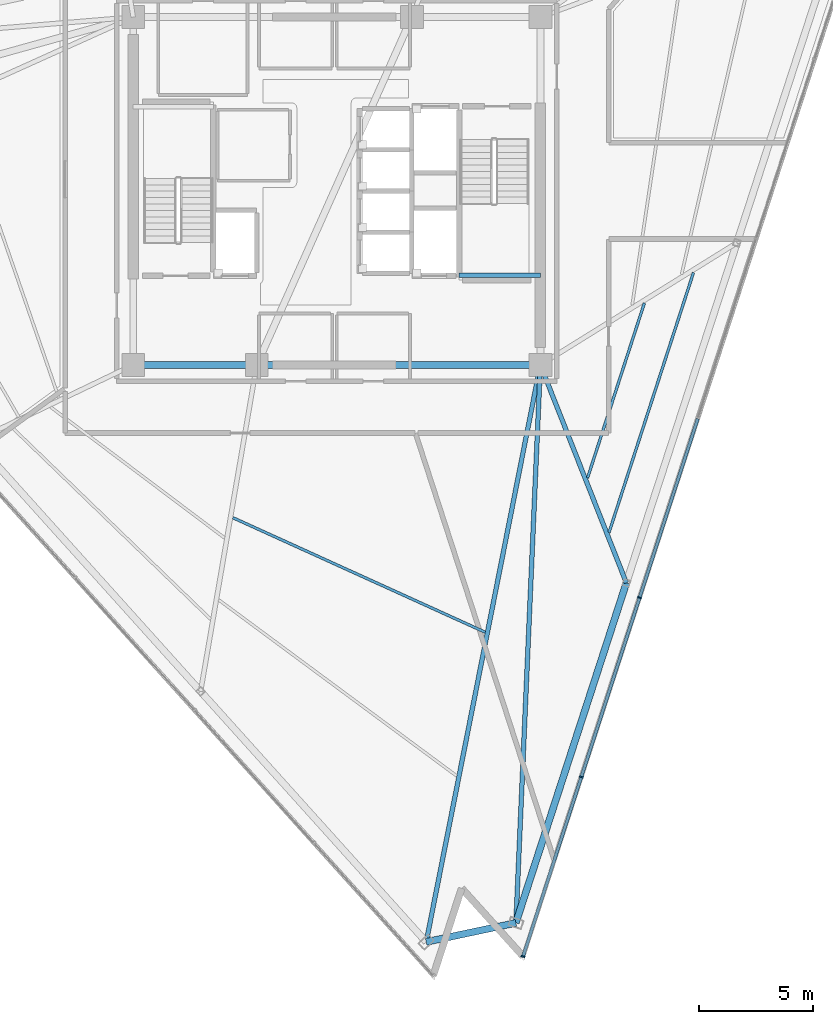
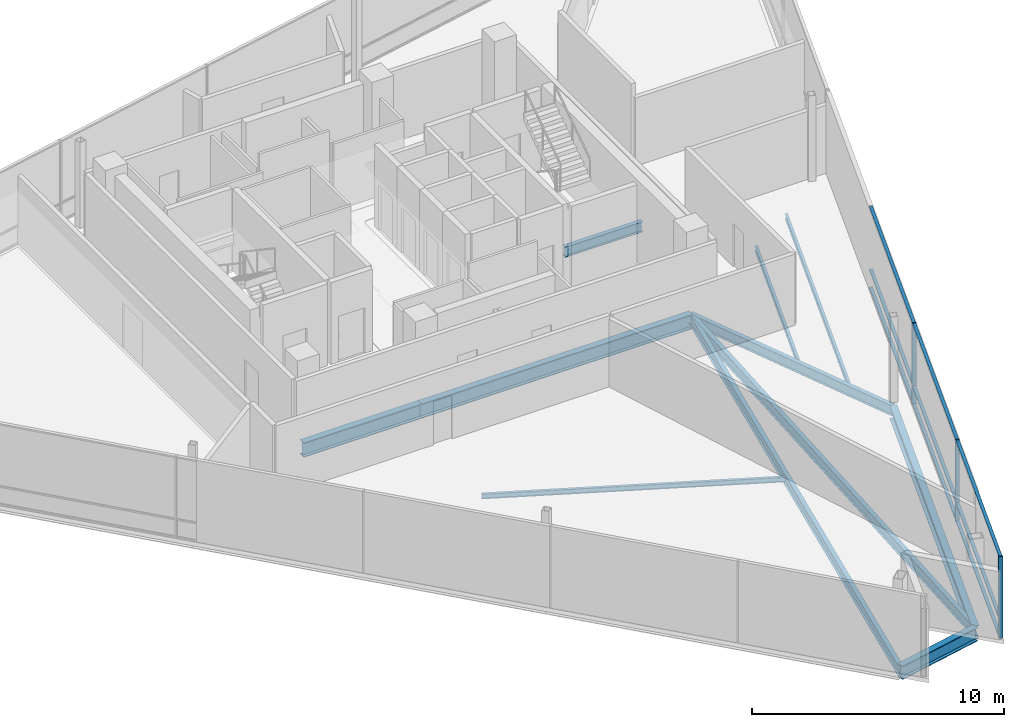
# One storey, part 5 of 16: 12 members, 11 beams, 1 element without a shape of its own.
"""IFC4 building model written with IfcOpenShell, lengths in metres."""

import ifcopenshell
import ifcopenshell.guid

model = None  # the IFC model being written
_history = None  # IfcOwnerHistory: only IFC2X3 demands one
_inside = {}  # id of a spatial element -> (the spatial element, [elements in it])
_under = {}  # id of a project, library or spatial element -> (it, [spatial elements below it])
_declared = {}  # id of a project -> (the project, [libraries it declares])
_typed = {}  # id of a type object -> (the type object, [elements of that type])
_made_of = {}  # id of a material, layer set ... -> (it, [elements and type objects made of it])


def new_model(schema):
    """Start an empty IFC model of exactly this schema.

    Asked for "IFC4X3", IfcOpenShell would pick the latest addendum, in which some entities
    have other attributes; the version numbers below select the first issue.
    IFC2X3 requires an IfcOwnerHistory on every rooted entity: one is made here for all.
    """
    global model, _history
    if schema == "IFC4X3":
        model = ifcopenshell.file(schema_version=(4, 3, 0, 0))
    else:
        model = ifcopenshell.file(schema=schema)
    _inside.clear()
    _under.clear()
    _declared.clear()
    _typed.clear()
    _made_of.clear()
    _history = None
    if model.schema == "IFC2X3":
        org = make("IfcOrganization", Name="unknown")
        user = make(
            "IfcPersonAndOrganization",
            ThePerson=make("IfcPerson", FamilyName="unknown"),
            TheOrganization=org,
        )
        app = make(
            "IfcApplication",
            ApplicationDeveloper=org,
            Version="unknown",
            ApplicationFullName="unknown",
            ApplicationIdentifier="unknown",
        )
        _history = make(
            "IfcOwnerHistory",
            OwningUser=user,
            OwningApplication=app,
            ChangeAction="ADDED",
            CreationDate=0,
        )
    return model


def make(cls, **values):
    """One entity of the class cls with the attributes given. An attribute that is None is left unset."""
    return model.create_entity(
        cls, **{name: value for name, value in values.items() if value is not None}
    )


def rooted(cls, **values):
    """An entity with a GlobalId (a new one), such as an element, a storey or a relation."""
    return make(cls, GlobalId=ifcopenshell.guid.new(), OwnerHistory=_history, **values)


def si_unit(unit_type, name, prefix=None):
    """IfcSIUnit, for example si_unit("LENGTHUNIT", "METRE", prefix="MILLI")."""
    return make("IfcSIUnit", UnitType=unit_type, Prefix=prefix, Name=name)


def assignment(units):
    """IfcUnitAssignment: the units of a project."""
    return None if units is None else make("IfcUnitAssignment", Units=units)


def point(xyz):
    """IfcCartesianPoint."""
    return None if xyz is None else make("IfcCartesianPoint", Coordinates=xyz)


def direction(xyz):
    """IfcDirection."""
    return None if xyz is None else make("IfcDirection", DirectionRatios=xyz)


def frame(location, z_axis=None, x_axis=None):
    """IfcAxis2Placement3D, a coordinate frame: its origin and axes. An axis left out is left unset."""
    return make(
        "IfcAxis2Placement3D",
        Location=point(location),
        Axis=direction(z_axis),
        RefDirection=direction(x_axis),
    )


def frame_2d(location, x_axis=None):
    """IfcAxis2Placement2D, a coordinate frame in the plane: its origin and x axis."""
    return make(
        "IfcAxis2Placement2D", Location=point(location), RefDirection=direction(x_axis)
    )


def origin():
    """The frame at (0, 0, 0) with its axes left unset."""
    return frame((0.0, 0.0, 0.0))


def origin_2d():
    """The frame at (0, 0) in the plane with its x axis left unset."""
    return frame_2d((0.0, 0.0))


def place(relative_to, where):
    """IfcLocalPlacement: puts the frame where relative to a parent placement (None: the world)."""
    return make(
        "IfcLocalPlacement", PlacementRelTo=relative_to, RelativePlacement=where
    )


def context(
    kind, dimensions, precision=None, world=None, true_north=None, identifier=None
):
    """IfcGeometricRepresentationContext, for example the 3D "Model" context."""
    return make(
        "IfcGeometricRepresentationContext",
        ContextIdentifier=identifier,
        ContextType=kind,
        CoordinateSpaceDimension=dimensions,
        Precision=precision,
        WorldCoordinateSystem=world,
        TrueNorth=true_north,
    )


def subcontext(parent, identifier, kind, view, scale=None):
    """IfcGeometricRepresentationSubContext, for example "Body" below "Model"."""
    return make(
        "IfcGeometricRepresentationSubContext",
        ContextIdentifier=identifier,
        ContextType=kind,
        ParentContext=parent,
        TargetScale=scale,
        TargetView=view,
    )


def project(units=None, contexts=None):
    """IfcProject with its units and contexts."""
    return rooted(
        "IfcProject",
        Name="project",
        RepresentationContexts=contexts,
        UnitsInContext=assignment(units),
    )


def spatial(cls, under=None, at=None, **own):
    """A site, building, storey or space (cls), placed at a placement, below another one or the project."""
    s = rooted(cls, ObjectPlacement=at, **own)
    if under is not None:
        _under.setdefault(under.id(), (under, []))[1].append(s)
    return s


def profile(cls, at=None, kind="AREA", **sizes):
    """A parametric profile (cls). Its sizes go by their IFC names, for example OverallWidth=200.0."""
    return make(cls, ProfileType=kind, Position=at, **sizes)


def rectangle(**sizes):
    """IfcRectangleProfileDef."""
    return profile("IfcRectangleProfileDef", **sizes)


def i_section(**sizes):
    """IfcIShapeProfileDef."""
    return profile("IfcIShapeProfileDef", **sizes)


def extrude(swept, where, along, depth):
    """IfcExtrudedAreaSolid: the profile swept, set in the frame where, extruded along a direction by depth."""
    return make(
        "IfcExtrudedAreaSolid",
        SweptArea=swept,
        Position=where,
        ExtrudedDirection=direction(along),
        Depth=depth,
    )


def shape(context_of_items, identifier, shape_type, items):
    """IfcShapeRepresentation: the items that make up one representation, for example the "Body"."""
    return make(
        "IfcShapeRepresentation",
        ContextOfItems=context_of_items,
        RepresentationIdentifier=identifier,
        RepresentationType=shape_type,
        Items=items,
    )


def material(Name=None, Category=None):
    """IfcMaterial."""
    return make("IfcMaterial", Name=Name, Category=Category)


def layer(
    of_material, thickness, ventilated=None, Name=None, Category=None, Priority=None
):
    """IfcMaterialLayer: one layer of a wall or slab, of a material (None: an air gap)."""
    return make(
        "IfcMaterialLayer",
        Material=of_material,
        LayerThickness=thickness,
        IsVentilated=ventilated,
        Name=Name,
        Category=Category,
        Priority=Priority,
    )


def layer_set(layers, Name=None):
    """IfcMaterialLayerSet."""
    return make("IfcMaterialLayerSet", MaterialLayers=layers, LayerSetName=Name)


def material_profile(
    of_material, cross_section, Name=None, Category=None, Priority=None
):
    """IfcMaterialProfile: a cross section and its material."""
    return make(
        "IfcMaterialProfile",
        Name=Name,
        Material=of_material,
        Profile=cross_section,
        Priority=Priority,
        Category=Category,
    )


def profile_set(profiles, Name=None, composite=None):
    """IfcMaterialProfileSet."""
    return make(
        "IfcMaterialProfileSet",
        Name=Name,
        MaterialProfiles=profiles,
        CompositeProfile=composite,
    )


def made_of(thing, what):
    """Note that an element or type object is made of a material, layer set ...; save() writes the relation."""
    if what is not None:
        _made_of.setdefault(what.id(), (what, []))[1].append(thing)
    return thing


def type_object(cls, material=None, **own):
    """A type object (cls), such as IfcWallType, which elements share."""
    return made_of(rooted(cls, **own), material)


def element(
    cls,
    number,
    at=None,
    inside=None,
    cuts=None,
    type_object=None,
    material=None,
    context=None,
    identifier="Body",
    shape_type=None,
    held_by="IfcProductDefinitionShape",
    body=None,
    shapes=None,
    **own,
):
    """One element of the class cls, such as IfcWall. Its Tag is "e" and its number.

    at: its placement. inside: the storey or other place that contains it. cuts: it is an
    opening in that element (IfcRelVoidsElement). A single representation is given by context,
    identifier, shape_type and body (its items); several are given by shapes. held_by: the class
    of the entity that holds the representations. save() writes the other relations.
    """
    e = rooted(cls, Tag="e%d" % number, ObjectPlacement=at, **own)
    if body is not None:
        shapes = [shape(context, identifier, shape_type, body)]
    if shapes is not None:
        e.Representation = make(held_by, Representations=shapes)
    if inside is not None:
        _inside.setdefault(inside.id(), (inside, []))[1].append(e)
    if cuts is not None:
        rooted(
            "IfcRelVoidsElement", RelatingBuildingElement=cuts, RelatedOpeningElement=e
        )
    if type_object is not None:
        _typed.setdefault(type_object.id(), (type_object, []))[1].append(e)
    return made_of(e, material)


def aggregate(whole, parts):
    """IfcRelAggregates: a whole, such as a stair, and the parts it consists of."""
    return rooted("IfcRelAggregates", RelatingObject=whole, RelatedObjects=parts)


def save(model, path):
    """Write the relations noted so far, then the file.

    IfcRelAggregates (storeys below a building ...), IfcRelContainedInSpatialStructure (elements
    in a storey), IfcRelDefinesByType, IfcRelAssociatesMaterial and IfcRelDeclares: one each for
    every whole, place, type object, material and project.
    """
    for whole, parts in _under.values():
        aggregate(whole, parts)
    for where, things in _inside.values():
        rooted(
            "IfcRelContainedInSpatialStructure",
            RelatedElements=things,
            RelatingStructure=where,
        )
    for kind, things in _typed.values():
        rooted("IfcRelDefinesByType", RelatedObjects=things, RelatingType=kind)
    for what, things in _made_of.values():
        rooted("IfcRelAssociatesMaterial", RelatedObjects=things, RelatingMaterial=what)
    for by, libraries in _declared.values():
        rooted("IfcRelDeclares", RelatingContext=by, RelatedDefinitions=libraries)
    model.write(path)


model = new_model("IFC4")

# Units and contexts
model_context = context("Model", 3, precision=1e-05, world=origin(), true_north=direction((0.0, 1.0)))
body_context = subcontext(model_context, "Body", "Model", "MODEL_VIEW")
ifc_project = project(units=[si_unit("LENGTHUNIT", "METRE"), si_unit("AREAUNIT", "SQUARE_METRE"), si_unit("VOLUMEUNIT", "CUBIC_METRE"), si_unit("PLANEANGLEUNIT", "RADIAN"), si_unit("MASSUNIT", "GRAM", prefix="KILO")], contexts=[model_context])

# Site, building, storey
site_placement = place(None, origin())
site = spatial("IfcSite", under=ifc_project, at=site_placement, CompositionType="ELEMENT")
building_placement = place(site_placement, origin())
building = spatial("IfcBuilding", under=site, at=building_placement, Name="Tharavind Bronze Gate", CompositionType="ELEMENT")
storey_placement = place(building_placement, frame((0.0, 0.0, 302.14990234375)))
storey = spatial("IfcBuildingStorey", under=building, at=storey_placement, Name="L78", CompositionType="ELEMENT", Elevation=302.14990234375)

# Curtain wall, members
ifc_material_1 = material(Name="Anodised Bronze Aluminium", Category="aluminium")
ifc_layer = layer(ifc_material_1, 0.219970703125)
ifc_layer_set = layer_set([ifc_layer], Name="Anodised Bronze Aluminium")
curtain_wall_type = type_object("IfcCurtainWallType", Name="UNITISED CURTAIN WALL CROWN", PredefinedType="USERDEFINED", material=ifc_layer_set)
curtain_wall_placement = place(storey_placement, origin())
curtain_wall = element("IfcCurtainWall", 1, at=curtain_wall_placement, inside=storey, type_object=curtain_wall_type, Name="L78 unitised curtain wall crown CW-L78-S2", ObjectType="UNITISED CURTAIN WALL", PredefinedType="USERDEFINED")
member_type_1 = type_object("IfcMemberType", Name="CURTAIN WALL BRONZE MULLION 65X180", PredefinedType="MULLION", material=ifc_material_1)
member_1_placement = place(storey_placement, frame((8.14111328125, -33.462646484375, 0.0), z_axis=(0.0, 0.0, 1.0), x_axis=(0.309016994375, 0.951056516295, 0.0)))
member_1 = element("IfcMember", 2, at=member_1_placement, type_object=member_type_1, Name="CW-L78-S2 mullion 1", PredefinedType="MULLION", context=body_context, shape_type="SweptSolid", body=[
    extrude(rectangle(XDim=0.06494140625, YDim=0.179931640625, at=origin_2d()), origin(), (0.0, 0.0, 1.0), 3.949951171875),
])
member_2_placement = place(storey_placement, frame((10.68994140625, -25.618408203125, 0.0), z_axis=(0.0, 0.0, 1.0), x_axis=(0.309016994375, 0.951056516295, 0.0)))
member_2 = element("IfcMember", 3, at=member_2_placement, type_object=member_type_1, Name="CW-L78-S2 mullion 2", PredefinedType="MULLION", context=body_context, shape_type="SweptSolid", body=[
    extrude(rectangle(XDim=0.06494140625, YDim=0.179931640625, at=origin_2d()), origin(), (0.0, 0.0, 1.0), 3.949951171875),
])
member_3_placement = place(storey_placement, frame((13.23876953125, -17.77392578125, 0.0), z_axis=(0.0, 0.0, 1.0), x_axis=(0.309016994375, 0.951056516295, 0.0)))
member_3 = element("IfcMember", 4, at=member_3_placement, type_object=member_type_1, Name="CW-L78-S2 mullion 3", PredefinedType="MULLION", context=body_context, shape_type="SweptSolid", body=[
    extrude(rectangle(XDim=0.06494140625, YDim=0.179931640625, at=origin_2d()), origin(), (0.0, 0.0, 1.0), 3.949951171875),
])
member_type_2 = type_object("IfcMemberType", Name="CURTAIN WALL BRONZE TRANSOM 65X140", PredefinedType="USERDEFINED", material=ifc_material_1)
member_4_placement = place(storey_placement, frame((9.41552734375, -29.54052734375, 0.000244140625), z_axis=(0.0, 0.0, 1.0), x_axis=(0.309016994375, 0.951056516295, 0.0)))
member_4 = element("IfcMember", 5, at=member_4_placement, type_object=member_type_2, Name="CW-L78-S2 transom TB1", ObjectType="TRANSOM", PredefinedType="USERDEFINED", context=body_context, shape_type="SweptSolid", body=[
    extrude(rectangle(XDim=8.195068359375, YDim=0.139892578125, at=origin_2d()), origin(), (0.0, 0.0, 1.0), 0.06494140625),
])
member_5_placement = place(storey_placement, frame((9.41552734375, -29.54052734375, 0.86767578125), z_axis=(0.0, 0.0, 1.0), x_axis=(0.309016994375, 0.951056516295, 0.0)))
member_5 = element("IfcMember", 6, at=member_5_placement, type_object=member_type_2, Name="CW-L78-S2 transom TS1", ObjectType="TRANSOM", PredefinedType="USERDEFINED", context=body_context, shape_type="SweptSolid", body=[
    extrude(rectangle(XDim=8.195068359375, YDim=0.139892578125, at=origin_2d()), origin(), (0.0, 0.0, 1.0), 0.06494140625),
])
member_6_placement = place(storey_placement, frame((9.41552734375, -29.54052734375, 3.885009765625), z_axis=(0.0, 0.0, 1.0), x_axis=(0.309016994375, 0.951056516295, 0.0)))
member_6 = element("IfcMember", 7, at=member_6_placement, type_object=member_type_2, Name="CW-L78-S2 transom TT1", ObjectType="TRANSOM", PredefinedType="USERDEFINED", context=body_context, shape_type="SweptSolid", body=[
    extrude(rectangle(XDim=8.195068359375, YDim=0.139892578125, at=origin_2d()), origin(), (0.0, 0.0, 1.0), 0.06494140625),
])
member_7_placement = place(storey_placement, frame((11.96435546875, -21.6962890625, 0.000244140625), z_axis=(0.0, 0.0, 1.0), x_axis=(0.309016994375, 0.951056516295, 0.0)))
member_7 = element("IfcMember", 8, at=member_7_placement, type_object=member_type_2, Name="CW-L78-S2 transom TB2", ObjectType="TRANSOM", PredefinedType="USERDEFINED", context=body_context, shape_type="SweptSolid", body=[
    extrude(rectangle(XDim=8.195068359375, YDim=0.139892578125, at=origin_2d()), origin(), (0.0, 0.0, 1.0), 0.06494140625),
])
member_8_placement = place(storey_placement, frame((11.96435546875, -21.6962890625, 0.86767578125), z_axis=(0.0, 0.0, 1.0), x_axis=(0.309016994375, 0.951056516295, 0.0)))
member_8 = element("IfcMember", 9, at=member_8_placement, type_object=member_type_2, Name="CW-L78-S2 transom TS2", ObjectType="TRANSOM", PredefinedType="USERDEFINED", context=body_context, shape_type="SweptSolid", body=[
    extrude(rectangle(XDim=8.195068359375, YDim=0.139892578125, at=origin_2d()), origin(), (0.0, 0.0, 1.0), 0.06494140625),
])
member_9_placement = place(storey_placement, frame((11.96435546875, -21.6962890625, 3.885009765625), z_axis=(0.0, 0.0, 1.0), x_axis=(0.309016994375, 0.951056516295, 0.0)))
member_9 = element("IfcMember", 10, at=member_9_placement, type_object=member_type_2, Name="CW-L78-S2 transom TT2", ObjectType="TRANSOM", PredefinedType="USERDEFINED", context=body_context, shape_type="SweptSolid", body=[
    extrude(rectangle(XDim=8.195068359375, YDim=0.139892578125, at=origin_2d()), origin(), (0.0, 0.0, 1.0), 0.06494140625),
])
member_10_placement = place(storey_placement, frame((14.51318359375, -13.851806640625, 0.000244140625), z_axis=(0.0, 0.0, 1.0), x_axis=(0.309016994375, 0.951056516295, 0.0)))
member_10 = element("IfcMember", 11, at=member_10_placement, type_object=member_type_2, Name="CW-L78-S2 transom TB3", ObjectType="TRANSOM", PredefinedType="USERDEFINED", context=body_context, shape_type="SweptSolid", body=[
    extrude(rectangle(XDim=8.195068359375, YDim=0.139892578125, at=origin_2d()), origin(), (0.0, 0.0, 1.0), 0.06494140625),
])
member_11_placement = place(storey_placement, frame((14.51318359375, -13.851806640625, 0.86767578125), z_axis=(0.0, 0.0, 1.0), x_axis=(0.309016994375, 0.951056516295, 0.0)))
member_11 = element("IfcMember", 12, at=member_11_placement, type_object=member_type_2, Name="CW-L78-S2 transom TS3", ObjectType="TRANSOM", PredefinedType="USERDEFINED", context=body_context, shape_type="SweptSolid", body=[
    extrude(rectangle(XDim=8.195068359375, YDim=0.139892578125, at=origin_2d()), origin(), (0.0, 0.0, 1.0), 0.06494140625),
])
member_12_placement = place(storey_placement, frame((14.51318359375, -13.851806640625, 3.885009765625), z_axis=(0.0, 0.0, 1.0), x_axis=(0.309016994375, 0.951056516295, 0.0)))
member_12 = element("IfcMember", 13, at=member_12_placement, type_object=member_type_2, Name="CW-L78-S2 transom TT3", ObjectType="TRANSOM", PredefinedType="USERDEFINED", context=body_context, shape_type="SweptSolid", body=[
    extrude(rectangle(XDim=8.195068359375, YDim=0.139892578125, at=origin_2d()), origin(), (0.0, 0.0, 1.0), 0.06494140625),
])
aggregate(curtain_wall, [member_1, member_2, member_3, member_4, member_5, member_6, member_7, member_8, member_9, member_10, member_11, member_12])

# Beams
ifc_material_2 = material(Name="Steel S355", Category="steel")
ifc_material_profile_1 = material_profile(ifc_material_2, i_section(OverallWidth=0.300048828125, OverallDepth=0.64990234375, WebThickness=0.01611328125, FlangeThickness=0.031005859375, at=origin_2d()), Name="HE650B")
ifc_profile_set_1 = profile_set([ifc_material_profile_1], Name="Steel S355")
beam_type_1 = type_object("IfcBeamType", Name="PRIMARY GIRDER HE650B", PredefinedType="USERDEFINED", material=ifc_profile_set_1)
beam_1_placement = place(storey_placement, frame((3.908935546875, -32.82861328125, -0.52490234375), z_axis=(0.978162875873, 0.207839813954, 0.0), x_axis=(-0.207839813954, 0.978162875873, 0.0)))
element("IfcBeam", 14, at=beam_1_placement, inside=storey, type_object=beam_type_1, Name="L78 primary girder he650b BM-L78-PRG04", ObjectType="GIRDER", PredefinedType="USERDEFINED", context=body_context, shape_type="SweptSolid", body=[
    extrude(i_section(OverallWidth=0.300048828125, OverallDepth=0.64990234375, WebThickness=0.01611328125, FlangeThickness=0.031005859375, at=origin_2d()), origin(), (0.0, 0.0, 1.0), 4.0078125),
])
beam_2_placement = place(storey_placement, frame((7.829345703125, -31.99560546875, -0.52490234375), z_axis=(0.309011547215, 0.951058286168, 0.0), x_axis=(-0.951058286168, 0.309011547215, 0.0)))
element("IfcBeam", 15, at=beam_2_placement, inside=storey, type_object=beam_type_1, Name="L78 primary girder he650b BM-L78-PRG05", ObjectType="GIRDER", PredefinedType="USERDEFINED", context=body_context, shape_type="SweptSolid", body=[
    extrude(i_section(OverallWidth=0.300048828125, OverallDepth=0.64990234375, WebThickness=0.01611328125, FlangeThickness=0.031005859375, at=origin_2d()), origin(), (0.0, 0.0, 1.0), 15.6298828125),
])
ifc_material_profile_2 = material_profile(ifc_material_2, i_section(OverallWidth=0.199951171875, OverallDepth=0.5, WebThickness=0.01025390625, FlangeThickness=0.01611328125, at=origin_2d()), Name="IPE500")
ifc_profile_set_2 = profile_set([ifc_material_profile_2], Name="Steel S355")
beam_type_2 = type_object("IfcBeamType", Name="PRIMARY GIRDER IPE500", PredefinedType="USERDEFINED", material=ifc_profile_set_2)
beam_3_placement = place(storey_placement, frame((5.35009765625, -3.679931640625, 1.625), z_axis=(1.0, 0.0, 0.0), x_axis=(0.0, 1.0, 0.0)))
element("IfcBeam", 16, at=beam_3_placement, inside=storey, type_object=beam_type_2, Name="L78 primary girder ipe500 BM-LD-ST2-L78-1", ObjectType="GIRDER", PredefinedType="USERDEFINED", context=body_context, shape_type="SweptSolid", body=[
    extrude(i_section(OverallWidth=0.199951171875, OverallDepth=0.5, WebThickness=0.01025390625, FlangeThickness=0.01611328125, at=origin_2d()), origin(), (0.0, 0.0, 1.0), 3.5498046875),
])
beam_4_placement = place(storey_placement, frame((3.908935546875, -32.82861328125, -0.449951171875), z_axis=(0.194069196249, 0.980987842467, 0.0), x_axis=(-0.980987842467, 0.194069196249, 0.0)))
element("IfcBeam", 17, at=beam_4_placement, inside=storey, type_object=beam_type_2, Name="L78 primary girder ipe500 BM-L78-RAD04", ObjectType="GIRDER", PredefinedType="USERDEFINED", context=body_context, shape_type="SweptSolid", body=[
    extrude(i_section(OverallWidth=0.199951171875, OverallDepth=0.5, WebThickness=0.01025390625, FlangeThickness=0.01611328125, at=origin_2d()), origin(), (0.0, 0.0, 1.0), 25.717529296875),
])
beam_5_placement = place(storey_placement, frame((7.829345703125, -31.99560546875, -0.449951171875), z_axis=(0.043841158128, 0.9990385142, 0.0), x_axis=(-0.9990385142, 0.043841158128, 0.0)))
element("IfcBeam", 18, at=beam_5_placement, inside=storey, type_object=beam_type_2, Name="L78 primary girder ipe500 BM-L78-RAD05", ObjectType="GIRDER", PredefinedType="USERDEFINED", context=body_context, shape_type="SweptSolid", body=[
    extrude(i_section(OverallWidth=0.199951171875, OverallDepth=0.5, WebThickness=0.01025390625, FlangeThickness=0.01611328125, at=origin_2d()), origin(), (0.0, 0.0, 1.0), 24.4189453125),
])
beam_6_placement = place(storey_placement, frame((12.6591796875, -17.130615234375, -0.449951171875), z_axis=(-0.366932678931, 0.930247498859, 0.0), x_axis=(-0.930247498859, -0.366932678931, 0.0)))
element("IfcBeam", 19, at=beam_6_placement, inside=storey, type_object=beam_type_2, Name="L78 primary girder ipe500 BM-L78-RAD06", ObjectType="GIRDER", PredefinedType="USERDEFINED", context=body_context, shape_type="SweptSolid", body=[
    extrude(i_section(OverallWidth=0.199951171875, OverallDepth=0.5, WebThickness=0.01025390625, FlangeThickness=0.01611328125, at=origin_2d()), origin(), (0.0, 0.0, 1.0), 10.2451171875),
])
ifc_material_profile_3 = material_profile(ifc_material_2, i_section(OverallWidth=0.300048828125, OverallDepth=0.699951171875, WebThickness=0.01708984375, FlangeThickness=0.031982421875, at=origin_2d()), Name="HE700B")
ifc_profile_set_3 = profile_set([ifc_material_profile_3], Name="Steel S355")
beam_type_3 = type_object("IfcBeamType", Name="RING GIRDER HE700B", PredefinedType="USERDEFINED", material=ifc_profile_set_3)
beam_7_placement = place(storey_placement, frame((-8.89990234375, -7.60009765625, -0.5498046875), z_axis=(1.0, 0.0, 0.0), x_axis=(0.0, 1.0, 0.0)))
element("IfcBeam", 20, at=beam_7_placement, inside=storey, type_object=beam_type_3, Name="L78 ring girder he700b BM-L78-CR1", ObjectType="GIRDER", PredefinedType="USERDEFINED", context=body_context, shape_type="SweptSolid", body=[
    extrude(i_section(OverallWidth=0.300048828125, OverallDepth=0.699951171875, WebThickness=0.01708984375, FlangeThickness=0.031982421875, at=origin_2d()), origin(), (0.0, 0.0, 1.0), 5.39990234375),
])
beam_8_placement = place(storey_placement, frame((-3.5, -7.60009765625, -0.5498046875), z_axis=(1.0, 0.0, 0.0), x_axis=(0.0, 1.0, 0.0)))
element("IfcBeam", 21, at=beam_8_placement, inside=storey, type_object=beam_type_3, Name="L78 ring girder he700b BM-L78-CR2", ObjectType="GIRDER", PredefinedType="USERDEFINED", context=body_context, shape_type="SweptSolid", body=[
    extrude(i_section(OverallWidth=0.300048828125, OverallDepth=0.699951171875, WebThickness=0.01708984375, FlangeThickness=0.031982421875, at=origin_2d()), origin(), (0.0, 0.0, 1.0), 12.39990234375),
])
ifc_material_profile_4 = material_profile(ifc_material_2, i_section(OverallWidth=0.1201171875, OverallDepth=0.239990234375, WebThickness=0.006103515625, FlangeThickness=0.009765625, at=origin_2d()), Name="IPE240")
ifc_profile_set_4 = profile_set([ifc_material_profile_4], Name="Steel S355")
beam_type_4 = type_object("IfcBeamType", Name="SECONDARY FLOOR JOIST IPE240", PredefinedType="JOIST", material=ifc_profile_set_4)
beam_9_placement = place(storey_placement, frame((-4.543212890625, -14.2822265625, -0.31982421875), z_axis=(0.910570075217, -0.413354736419, 0.0), x_axis=(0.413354736419, 0.910570075217, 0.0)))
element("IfcBeam", 22, at=beam_9_placement, inside=storey, type_object=beam_type_4, Name="L78 secondary floor joist ipe240 BM-L78-JSTA03", PredefinedType="JOIST", context=body_context, shape_type="SweptSolid", body=[
    extrude(i_section(OverallWidth=0.1201171875, OverallDepth=0.239990234375, WebThickness=0.006103515625, FlangeThickness=0.009765625, at=origin_2d()), origin(), (0.0, 0.0, 1.0), 12.10791015625),
])
beam_10_placement = place(storey_placement, frame((10.9609375, -12.545654296875, -0.31982421875), z_axis=(0.309014681119, 0.951057267914, 0.0), x_axis=(-0.951057267914, 0.309014681119, 0.0)))
element("IfcBeam", 23, at=beam_10_placement, inside=storey, type_object=beam_type_4, Name="L78 secondary floor joist ipe240 BM-L78-JSTA06", PredefinedType="JOIST", context=body_context, shape_type="SweptSolid", body=[
    extrude(i_section(OverallWidth=0.1201171875, OverallDepth=0.239990234375, WebThickness=0.006103515625, FlangeThickness=0.009765625, at=origin_2d()), origin(), (0.0, 0.0, 1.0), 8.0419921875),
])
beam_11_placement = place(storey_placement, frame((11.90087890625, -14.92822265625, -0.31982421875), z_axis=(0.309022779796, 0.951054636478, 0.0), x_axis=(-0.951054636478, 0.309022779796, 0.0)))
element("IfcBeam", 24, at=beam_11_placement, inside=storey, type_object=beam_type_4, Name="L78 secondary floor joist ipe240 BM-L78-JSTB06", PredefinedType="JOIST", context=body_context, shape_type="SweptSolid", body=[
    extrude(i_section(OverallWidth=0.1201171875, OverallDepth=0.239990234375, WebThickness=0.006103515625, FlangeThickness=0.009765625, at=origin_2d()), origin(), (0.0, 0.0, 1.0), 11.949462890625),
])

save(model, "model.ifc")
